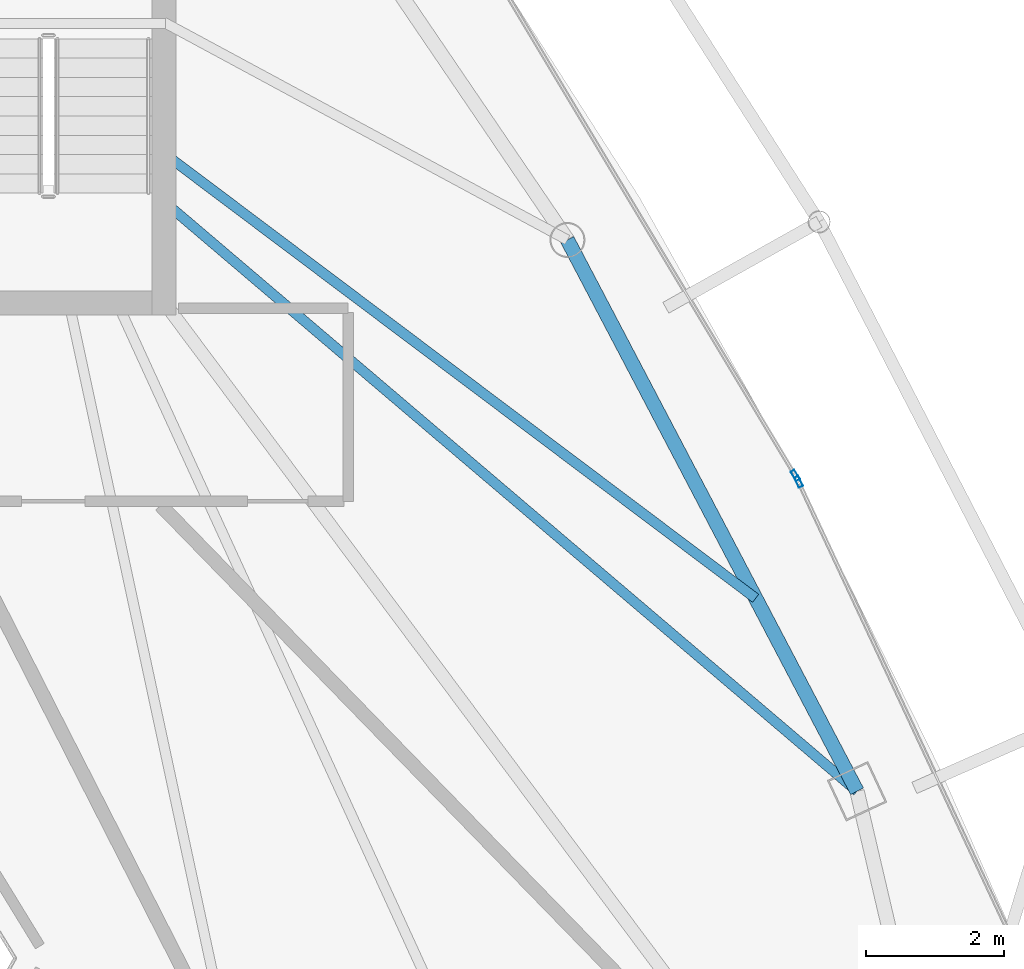
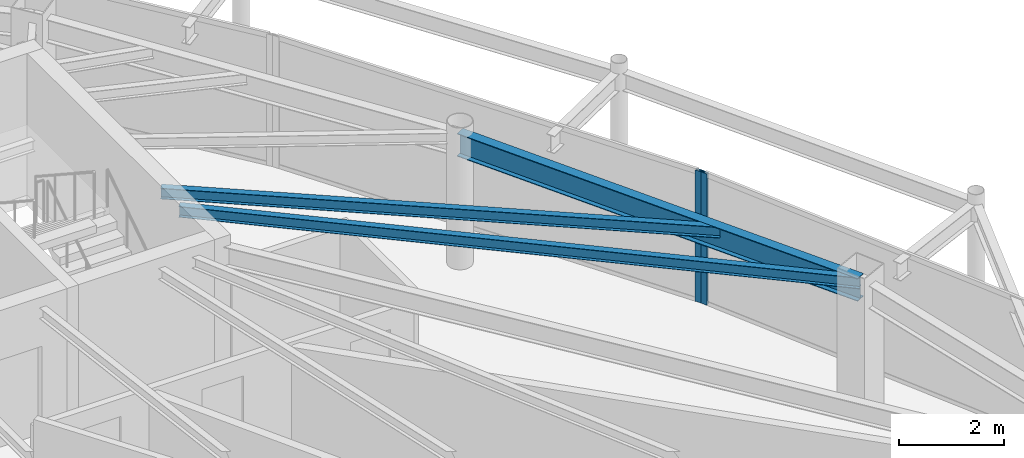
# One storey, part 17 of 30: 3 beams, 2 members, 2 elements without a shape of their own.
"""IFC4 building model written with IfcOpenShell, lengths in metres."""

from ifc_helpers import new_model, si_unit, direction, frame, origin, origin_2d, place, context, subcontext, project, spatial, hollow_rectangle, i_section, extrude, material, layer, layer_set, material_profile, profile_set, type_object, element, aggregate, save


model = new_model("IFC4")

# Units and contexts
model_context = context("Model", 3, precision=1e-05, world=origin(), true_north=direction((0.0, 1.0)))
body_context = subcontext(model_context, "Body", "Model", "MODEL_VIEW")
ifc_project = project(units=[si_unit("LENGTHUNIT", "METRE"), si_unit("AREAUNIT", "SQUARE_METRE"), si_unit("VOLUMEUNIT", "CUBIC_METRE"), si_unit("PLANEANGLEUNIT", "RADIAN"), si_unit("MASSUNIT", "GRAM", prefix="KILO")], contexts=[model_context])

# Site, building, storey
site_placement = place(None, origin())
site = spatial("IfcSite", under=ifc_project, at=site_placement, CompositionType="ELEMENT")
building_placement = place(site_placement, origin())
building = spatial("IfcBuilding", under=site, at=building_placement, Name="Orvanel Arch Residences", CompositionType="ELEMENT")
storey_placement = place(building_placement, frame((0.0, 0.0, 270.050048828125)))
storey = spatial("IfcBuildingStorey", under=building, at=storey_placement, Name="L77", CompositionType="ELEMENT", Elevation=270.050048828125)

# Beams
ifc_material_1 = material(Name="Structural steel AS/NZS 3679.1 Grade 300 (300 MPa)", Category="steel")
ifc_material_profile_1 = material_profile(ifc_material_1, i_section(OverallWidth=0.14599609375, OverallDepth=0.251953125, WebThickness=0.006103515625, FlangeThickness=0.008544921875, at=origin_2d()), Name="250UB31.4")
ifc_profile_set_1 = profile_set([ifc_material_profile_1], Name="Structural steel AS/NZS 3679.1 Grade 300 (300 MPa)")
beam_type_1 = type_object("IfcBeamType", Name="BJ-250UB", PredefinedType="JOIST", material=ifc_profile_set_1)
beam_1_placement = place(storey_placement, frame((39.574951171875, 28.199951171875, 2.933837890625), z_axis=(0.761622669031, -0.64802076357, 0.0), x_axis=(0.64802076357, 0.761622669031, 0.0)))
element("IfcBeam", 1, at=beam_1_placement, inside=storey, type_object=beam_type_1, Name="L77 E Wing Floor Joist", PredefinedType="JOIST", context=body_context, shape_type="SweptSolid", body=[
    extrude(i_section(OverallWidth=0.14599609375, OverallDepth=0.251953125, WebThickness=0.006103515625, FlangeThickness=0.008544921875, at=origin_2d()), origin(), (0.0, 0.0, 1.0), 13.2060546875),
])
beam_2_placement = place(storey_placement, frame((39.574951171875, 28.89990234375, 2.933837890625), z_axis=(0.799211300837, -0.60105016148, 0.0), x_axis=(0.60105016148, 0.799211300837, 0.0)))
element("IfcBeam", 2, at=beam_2_placement, inside=storey, type_object=beam_type_1, Name="L77 CTE Wing Floor Joist", PredefinedType="JOIST", context=body_context, shape_type="SweptSolid", body=[
    extrude(i_section(OverallWidth=0.14599609375, OverallDepth=0.251953125, WebThickness=0.006103515625, FlangeThickness=0.008544921875, at=origin_2d()), origin(), (0.0, 0.0, 1.0), 10.74462890625),
])

# Curtain wall, member
ifc_material_2 = material(Name="Bronze-anodised aluminium AA6063-T6", Category="aluminium")
ifc_layer = layer(ifc_material_2, 0.175048828125)
ifc_layer_set = layer_set([ifc_layer], Name="Bronze-anodised aluminium AA6063-T6")
curtain_wall_type = type_object("IfcCurtainWallType", Name="CW4-HI-SYS", PredefinedType="NOTDEFINED", material=ifc_layer_set)
curtain_wall_1_placement = place(storey_placement, origin())
curtain_wall_1 = element("IfcCurtainWall", 3, at=curtain_wall_1_placement, inside=storey, type_object=curtain_wall_type, Name="L77 CW4-HI-SYS Unitised Curtain Wall", PredefinedType="NOTDEFINED")
ifc_material_profile_2 = material_profile(ifc_material_2, hollow_rectangle(XDim=0.06494140625, YDim=0.159912109375, WallThickness=0.00390625, at=origin_2d()), Name="ALU160x65x4")
ifc_profile_set_2 = profile_set([ifc_material_profile_2], Name="Bronze-anodised aluminium AA6063-T6")
member_type = type_object("IfcMemberType", Name="MUL-160x65", PredefinedType="MULLION", material=ifc_profile_set_2)
member_1_placement = place(storey_placement, frame((48.78564453125, 24.131591796875, 0.0), z_axis=(0.0, 0.0, 1.0), x_axis=(-0.906196789885, -0.422856214336, 0.0)))
member_1 = element("IfcMember", 4, at=member_1_placement, type_object=member_type, Name="CW-S4 mullion 2", PredefinedType="MULLION", context=body_context, shape_type="SweptSolid", body=[
    extrude(hollow_rectangle(XDim=0.06494140625, YDim=0.159912109375, WallThickness=0.00390625, at=origin_2d()), origin(), (0.0, 0.0, 1.0), 3.06005859375),
])
aggregate(curtain_wall_1, [member_1])

curtain_wall_2_placement = place(storey_placement, origin())
curtain_wall_2 = element("IfcCurtainWall", 5, at=curtain_wall_2_placement, inside=storey, type_object=curtain_wall_type, Name="L77 CW4-HI-SYS Unitised Curtain Wall", PredefinedType="NOTDEFINED")
member_2_placement = place(storey_placement, frame((48.7373046875, 24.223876953125, 0.0), z_axis=(0.0, 0.0, 1.0), x_axis=(-0.857549798065, -0.514400956296, 0.0)))
member_2 = element("IfcMember", 6, at=member_2_placement, type_object=member_type, Name="CW-S4 mullion 1", PredefinedType="MULLION", context=body_context, shape_type="SweptSolid", body=[
    extrude(hollow_rectangle(XDim=0.06494140625, YDim=0.159912109375, WallThickness=0.00390625, at=origin_2d()), origin(), (0.0, 0.0, 1.0), 3.06005859375),
])
aggregate(curtain_wall_2, [member_2])

# Beam
ifc_material_profile_3 = material_profile(ifc_material_1, i_section(OverallWidth=0.208984375, OverallDepth=0.532958984375, WebThickness=0.01025390625, FlangeThickness=0.015625, at=origin_2d()), Name="530UB92.4")
ifc_profile_set_3 = profile_set([ifc_material_profile_3], Name="Structural steel AS/NZS 3679.1 Grade 300 (300 MPa)")
beam_type_2 = type_object("IfcBeamType", Name="SP-530UB", PredefinedType="SPANDREL", material=ifc_profile_set_3)
beam_3_placement = place(storey_placement, frame((49.633056640625, 19.64208984375, 2.7939453125), z_axis=(-0.465064762793, 0.885276660942, 0.0), x_axis=(-0.885276660942, -0.465064762793, 0.0)))
element("IfcBeam", 7, at=beam_3_placement, inside=storey, type_object=beam_type_2, Name="L77 Perimeter Spandrel Beam 07", PredefinedType="SPANDREL", context=body_context, shape_type="SweptSolid", body=[
    extrude(i_section(OverallWidth=0.208984375, OverallDepth=0.532958984375, WebThickness=0.01025390625, FlangeThickness=0.015625, at=origin_2d()), origin(), (0.0, 0.0, 1.0), 9.03564453125),
])

save(model, "model.ifc")
